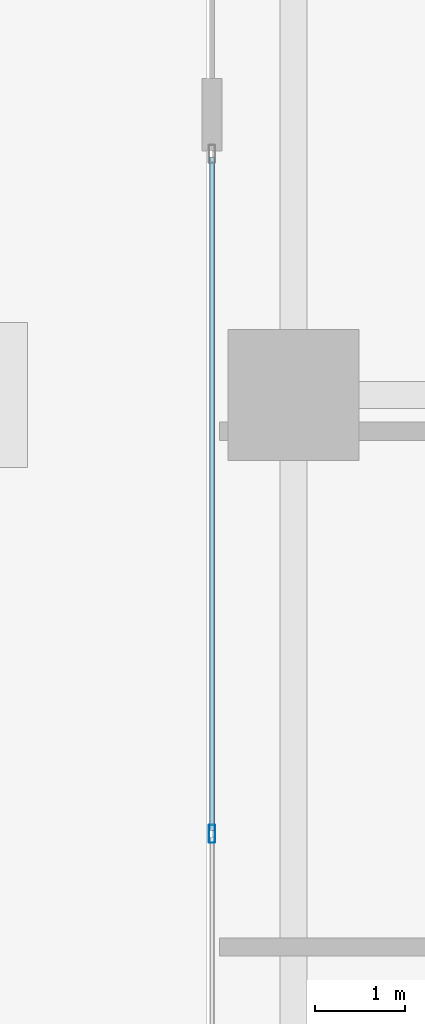
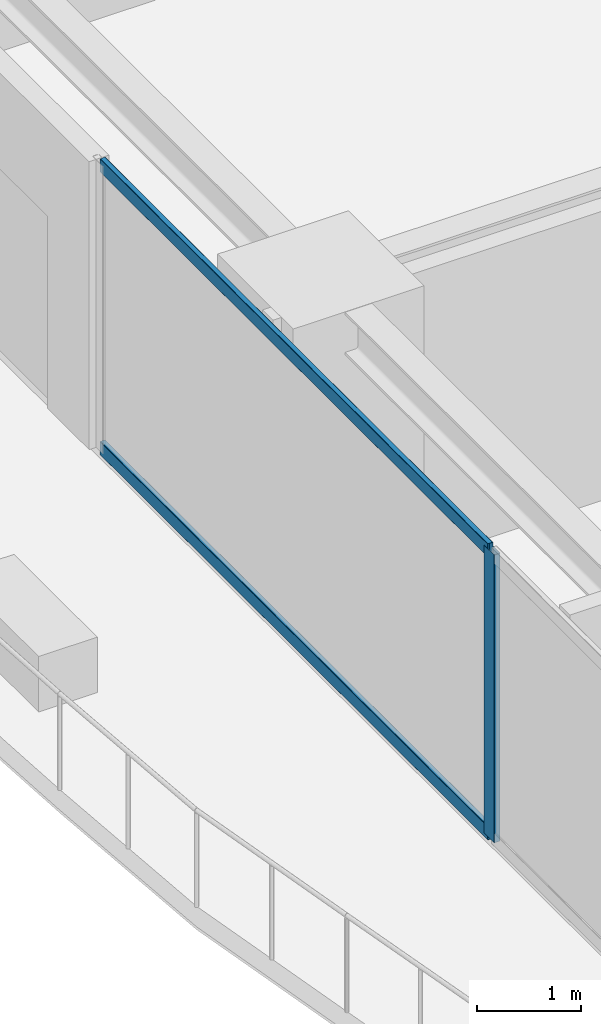
# One storey, part 7 of 40: 3 members, 1 element without a shape of its own.
"""IFC4 building model written with IfcOpenShell, lengths in metres."""

from ifc_helpers import new_model, si_unit, direction, frame, origin, origin_2d, place, context, subcontext, project, spatial, hollow_rectangle, extrude, source, transform, mapped, material, layer, layer_set, material_profile, profile_set, type_object, element, aggregate, save


model = new_model("IFC4")

# Units and contexts
model_context = context("Model", 3, precision=1e-05, world=origin(), true_north=direction((0.0, 1.0)))
body_context = subcontext(model_context, "Body", "Model", "MODEL_VIEW")
ifc_project = project(units=[si_unit("LENGTHUNIT", "METRE"), si_unit("AREAUNIT", "SQUARE_METRE"), si_unit("VOLUMEUNIT", "CUBIC_METRE"), si_unit("PLANEANGLEUNIT", "RADIAN"), si_unit("MASSUNIT", "GRAM", prefix="KILO")], contexts=[model_context])

# Site, building, storey
site_placement = place(None, origin())
site = spatial("IfcSite", under=ifc_project, at=site_placement, CompositionType="ELEMENT")
building_placement = place(site_placement, origin())
building = spatial("IfcBuilding", under=site, at=building_placement, Name="Serunith Strait Residences", CompositionType="ELEMENT")
storey_placement = place(building_placement, frame((0.0, 0.0, 105.449951171875)))
storey = spatial("IfcBuildingStorey", under=building, at=storey_placement, Name="L26", CompositionType="ELEMENT", Elevation=105.449951171875)

# Curtain wall, members
ifc_material = material(Name="Pale-Champagne Anodised Aluminium", Category="aluminium")
ifc_layer = layer(ifc_material, 0.199951171875, Name="Pale-Champagne Anodised Aluminium")
ifc_layer_set = layer_set([ifc_layer], Name="Pale-Champagne Anodised Aluminium")
curtain_wall_type = type_object("IfcCurtainWallType", Name="CW-SYS1", PredefinedType="NOTDEFINED", material=ifc_layer_set)
curtain_wall_placement = place(storey_placement, origin())
curtain_wall = element("IfcCurtainWall", 1, at=curtain_wall_placement, inside=storey, type_object=curtain_wall_type, Name="L26 W Unitised Fritted Curtain Wall", PredefinedType="NOTDEFINED")
ifc_material_profile_1 = material_profile(ifc_material, hollow_rectangle(XDim=0.06005859375, YDim=0.159912109375, WallThickness=0.00341796875, InnerFilletRadius=0.00537109375, OuterFilletRadius=0.0087890625, at=origin_2d()), Name="ALU 160x60x3.5")
ifc_profile_set_1 = profile_set([ifc_material_profile_1], Name="Pale-Champagne Anodised Aluminium")
member_type_1 = type_object("IfcMemberType", Name="CW-SYS1-TRAN", PredefinedType="USERDEFINED", material=ifc_profile_set_1)
shared_shape_1 = source(origin(), body_context, "Body", "SweptSolid", [
    extrude(hollow_rectangle(XDim=0.06005859375, YDim=0.159912109375, WallThickness=0.00341796875, InnerFilletRadius=0.00537109375, OuterFilletRadius=0.0087890625, at=origin_2d()), origin(), (0.0, 0.0, 1.0), 7.44482421875),
])
member_1_placement = place(storey_placement, frame((6.0, 23.6298828125, 0.030029296875), z_axis=(0.0, -1.0, 0.0), x_axis=(1.0, 0.0, 0.0)))
member_1 = element("IfcMember", 2, at=member_1_placement, type_object=member_type_1, Name="CW-1 transom 1.1", ObjectType="TRANSOM", PredefinedType="USERDEFINED", context=body_context, shape_type="MappedRepresentation", body=[
    mapped(shared_shape_1, transform((0.0, 0.0, 0.0), scale=1.0)),
])
member_2_placement = place(storey_placement, frame((6.0, 23.6298828125, 3.344970703125), z_axis=(0.0, -1.0, 0.0), x_axis=(1.0, 0.0, 0.0)))
member_2 = element("IfcMember", 3, at=member_2_placement, type_object=member_type_1, Name="CW-1 transom 1.2", ObjectType="TRANSOM", PredefinedType="USERDEFINED", context=body_context, shape_type="MappedRepresentation", body=[
    mapped(shared_shape_1, transform((0.0, 0.0, 0.0), scale=1.0)),
])
ifc_material_profile_2 = material_profile(ifc_material, hollow_rectangle(XDim=0.070068359375, YDim=0.199951171875, WallThickness=0.00390625, InnerFilletRadius=0.006103515625, OuterFilletRadius=0.010009765625, at=origin_2d()), Name="ALU 200x70x4")
ifc_profile_set_2 = profile_set([ifc_material_profile_2], Name="Pale-Champagne Anodised Aluminium")
member_type_2 = type_object("IfcMemberType", Name="CW-SYS1-MULL", PredefinedType="MULLION", material=ifc_profile_set_2)
shared_shape_2 = source(origin(), body_context, "Body", "SweptSolid", [
    extrude(hollow_rectangle(XDim=0.070068359375, YDim=0.199951171875, WallThickness=0.00390625, InnerFilletRadius=0.006103515625, OuterFilletRadius=0.010009765625, at=origin_2d()), origin(), (0.0, 0.0, 1.0), 3.375),
])
member_3_placement = place(storey_placement, frame((6.0, 16.14990234375, 0.0), z_axis=(0.0, 0.0, 1.0), x_axis=(1.0, 0.0, 0.0)))
member_3 = element("IfcMember", 4, at=member_3_placement, type_object=member_type_2, Name="CW-1 mullion 2", PredefinedType="MULLION", context=body_context, shape_type="MappedRepresentation", body=[
    mapped(shared_shape_2, transform((0.0, 0.0, 0.0), scale=1.0)),
])
aggregate(curtain_wall, [member_3, member_1, member_2])

save(model, "model.ifc")
